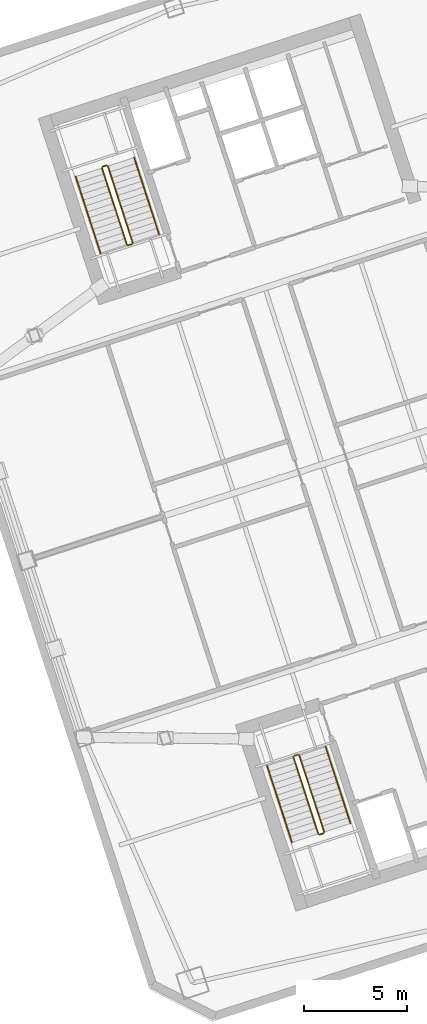
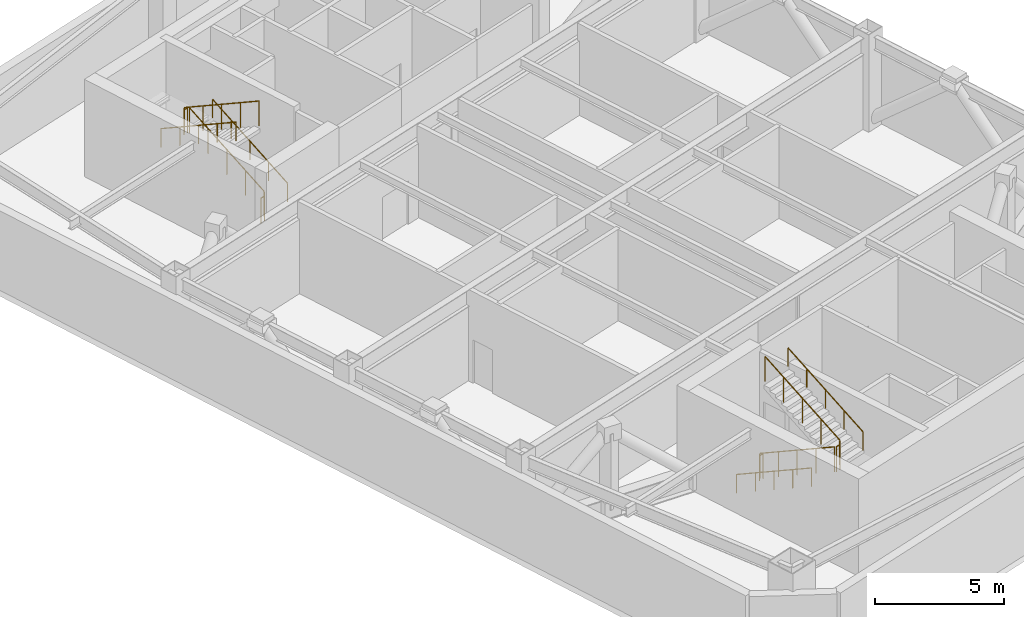
# One storey, part 14 of 14: 12 railings.
"""IFC4 building model written with IfcOpenShell, lengths in metres."""

from ifc_helpers import new_model, si_unit, direction, frame, origin, origin_2d, place, context, subcontext, project, spatial, circle, extrude, material, type_object, element, save


model = new_model("IFC4")

# Units and contexts
model_context = context("Model", 3, precision=1e-05, world=origin(), true_north=direction((0.0, 1.0)))
body_context = subcontext(model_context, "Body", "Model", "MODEL_VIEW")
ifc_project = project(units=[si_unit("LENGTHUNIT", "METRE"), si_unit("AREAUNIT", "SQUARE_METRE"), si_unit("VOLUMEUNIT", "CUBIC_METRE"), si_unit("PLANEANGLEUNIT", "RADIAN"), si_unit("MASSUNIT", "GRAM", prefix="KILO")], contexts=[model_context])

# Site, building, storey
site_placement = place(None, origin())
site = spatial("IfcSite", under=ifc_project, at=site_placement, CompositionType="ELEMENT")
building_placement = place(site_placement, origin())
building = spatial("IfcBuilding", under=site, at=building_placement, Name="Qiaolan Cultural Towers", CompositionType="ELEMENT")
storey_placement = place(building_placement, frame((0.0, 0.0, 138.0)))
storey = spatial("IfcBuildingStorey", under=building, at=storey_placement, Name="L36", CompositionType="ELEMENT", Elevation=138.0)

# Railings
ifc_material_1 = material(Name="Galvanized Painted Steel Stair Guardrail", Category="steel")
railing_type_1 = type_object("IfcRailingType", Name="RL-STAIR-GRD", PredefinedType="GUARDRAIL", material=ifc_material_1)
railing_1_placement = place(storey_placement, frame((88.60205078125, 19.82421875, 0.164306640625)))
element("IfcRailing", 1, at=railing_1_placement, inside=storey, type_object=railing_type_1, Name="L36 ST-E1 stair guard 1", PredefinedType="GUARDRAIL", context=body_context, shape_type="SweptSolid", body=[
    extrude(circle(Radius=0.02392578125, at=origin_2d()), frame((0.0, 0.0, 1.17578125), z_axis=(0.271063841875, -0.834165069801, 0.480305142541), x_axis=(0.951047408346, 0.309045024354, 0.0)), (0.0, 0.0, 1.0), 4.446533203125),
    extrude(circle(Radius=0.02099609375, at=origin_2d()), origin(), (0.0, 0.0, 1.0), 1.15185546875),
    extrude(circle(Radius=0.02099609375, at=origin_2d()), frame((0.30126953125, -0.92724609375, 0.533935546875)), (0.0, 0.0, 1.0), 1.15185546875),
    extrude(circle(Radius=0.02099609375, at=origin_2d()), frame((0.6025390625, -1.8544921875, 1.06787109375)), (0.0, 0.0, 1.0), 1.15185546875),
    extrude(circle(Radius=0.02099609375, at=origin_2d()), frame((0.904052734375, -2.781982421875, 1.601806640625)), (0.0, 0.0, 1.0), 1.15185546875),
    extrude(circle(Radius=0.02099609375, at=origin_2d()), frame((1.205322265625, -3.709228515625, 2.1357421875)), (0.0, 0.0, 1.0), 1.15185546875),
])
railing_2_placement = place(storey_placement, frame((89.870361328125, 16.0830078125, 2.300048828125)))
element("IfcRailing", 2, at=railing_2_placement, inside=storey, type_object=railing_type_1, Name="L36 ST-E1 stair guard 2", PredefinedType="GUARDRAIL", context=body_context, shape_type="SweptSolid", body=[
    extrude(circle(Radius=0.02392578125, at=origin_2d()), frame((0.0, 0.0, 1.17578125), z_axis=(0.951096855055, 0.308892816854, 0.0), x_axis=(-0.308892816854, 0.951096855055, 0.0)), (0.0, 0.0, 1.0), 0.199951171875),
    extrude(circle(Radius=0.02099609375, at=origin_2d()), origin(), (0.0, 0.0, 1.0), 1.15185546875),
    extrude(circle(Radius=0.02099609375, at=origin_2d()), frame((0.190185546875, 0.061767578125, 0.0)), (0.0, 0.0, 1.0), 1.15185546875),
])
railing_3_placement = place(storey_placement, frame((90.092529296875, 16.207763671875, 2.46435546875)))
element("IfcRailing", 3, at=railing_3_placement, inside=storey, type_object=railing_type_1, Name="L36 ST-E1 stair guard 3", PredefinedType="GUARDRAIL", context=body_context, shape_type="SweptSolid", body=[
    extrude(circle(Radius=0.02392578125, at=origin_2d()), frame((0.0, 0.0, 1.17578125), z_axis=(-0.27101297032, 0.834177483402, 0.480312290186), x_axis=(-0.951065805522, -0.308988403611, 0.0)), (0.0, 0.0, 1.0), 4.446533203125),
    extrude(circle(Radius=0.02099609375, at=origin_2d()), origin(), (0.0, 0.0, 1.0), 1.15185546875),
    extrude(circle(Radius=0.02099609375, at=origin_2d()), frame((-0.30126953125, 0.92724609375, 0.533935546875)), (0.0, 0.0, 1.0), 1.15185546875),
    extrude(circle(Radius=0.02099609375, at=origin_2d()), frame((-0.6025390625, 1.8544921875, 1.06787109375)), (0.0, 0.0, 1.0), 1.15185546875),
    extrude(circle(Radius=0.02099609375, at=origin_2d()), frame((-0.90380859375, 2.781982421875, 1.601806640625)), (0.0, 0.0, 1.0), 1.15185546875),
    extrude(circle(Radius=0.02099609375, at=origin_2d()), frame((-1.205078125, 3.709228515625, 2.1357421875)), (0.0, 0.0, 1.0), 1.15185546875),
])
railing_4_placement = place(storey_placement, frame((88.63427734375, 19.88720703125, 0.0)))
element("IfcRailing", 4, at=railing_4_placement, inside=storey, type_object=railing_type_1, Name="L36 ST-E1 stair guard 4", PredefinedType="GUARDRAIL", context=body_context, shape_type="SweptSolid", body=[
    extrude(circle(Radius=0.02392578125, at=origin_2d()), frame((0.0, 0.0, 1.17578125), z_axis=(0.951096855055, 0.308892816854, 0.0), x_axis=(-0.308892816854, 0.951096855055, 0.0)), (0.0, 0.0, 1.0), 0.199951171875),
    extrude(circle(Radius=0.02099609375, at=origin_2d()), origin(), (0.0, 0.0, 1.0), 1.15185546875),
    extrude(circle(Radius=0.02099609375, at=origin_2d()), frame((0.190185546875, 0.061767578125, 0.0)), (0.0, 0.0, 1.0), 1.15185546875),
])
railing_5_placement = place(storey_placement, frame((80.822021484375, 44.739501953125, 0.164306640625)))
element("IfcRailing", 5, at=railing_5_placement, inside=storey, type_object=railing_type_1, Name="L36 ST-E2 stair guard 1", PredefinedType="GUARDRAIL", context=body_context, shape_type="SweptSolid", body=[
    extrude(circle(Radius=0.02392578125, at=origin_2d()), frame((0.0, 0.0, 1.17578125), z_axis=(-0.27101297032, 0.834177483402, 0.480312290186), x_axis=(-0.951065805522, -0.308988403611, 0.0)), (0.0, 0.0, 1.0), 4.446533203125),
    extrude(circle(Radius=0.02099609375, at=origin_2d()), origin(), (0.0, 0.0, 1.0), 1.15185546875),
    extrude(circle(Radius=0.02099609375, at=origin_2d()), frame((-0.30126953125, 0.92724609375, 0.533935546875)), (0.0, 0.0, 1.0), 1.15185546875),
    extrude(circle(Radius=0.02099609375, at=origin_2d()), frame((-0.6025390625, 1.8544921875, 1.06787109375)), (0.0, 0.0, 1.0), 1.15185546875),
    extrude(circle(Radius=0.02099609375, at=origin_2d()), frame((-0.90380859375, 2.781982421875, 1.601806640625)), (0.0, 0.0, 1.0), 1.15185546875),
    extrude(circle(Radius=0.02099609375, at=origin_2d()), frame((-1.205078125, 3.709228515625, 2.1357421875)), (0.0, 0.0, 1.0), 1.15185546875),
])
railing_6_placement = place(storey_placement, frame((79.553955078125, 48.480712890625, 2.300048828125)))
element("IfcRailing", 6, at=railing_6_placement, inside=storey, type_object=railing_type_1, Name="L36 ST-E2 stair guard 2", PredefinedType="GUARDRAIL", context=body_context, shape_type="SweptSolid", body=[
    extrude(circle(Radius=0.02392578125, at=origin_2d()), frame((0.0, 0.0, 1.17578125), z_axis=(-0.951096855055, -0.308892816854, 0.0), x_axis=(0.308892816854, -0.951096855055, 0.0)), (0.0, 0.0, 1.0), 0.199951171875),
    extrude(circle(Radius=0.02099609375, at=origin_2d()), origin(), (0.0, 0.0, 1.0), 1.15185546875),
    extrude(circle(Radius=0.02099609375, at=origin_2d()), frame((-0.190185546875, -0.061767578125, 0.0)), (0.0, 0.0, 1.0), 1.15185546875),
])
railing_7_placement = place(storey_placement, frame((79.33154296875, 48.35595703125, 2.46435546875)))
element("IfcRailing", 7, at=railing_7_placement, inside=storey, type_object=railing_type_1, Name="L36 ST-E2 stair guard 3", PredefinedType="GUARDRAIL", context=body_context, shape_type="SweptSolid", body=[
    extrude(circle(Radius=0.02392578125, at=origin_2d()), frame((0.0, 0.0, 1.17578125), z_axis=(0.271063841875, -0.834165069801, 0.480305142541), x_axis=(0.951047408346, 0.309045024354, 0.0)), (0.0, 0.0, 1.0), 4.446533203125),
    extrude(circle(Radius=0.02099609375, at=origin_2d()), origin(), (0.0, 0.0, 1.0), 1.15185546875),
    extrude(circle(Radius=0.02099609375, at=origin_2d()), frame((0.30126953125, -0.92724609375, 0.533935546875)), (0.0, 0.0, 1.0), 1.15185546875),
    extrude(circle(Radius=0.02099609375, at=origin_2d()), frame((0.6025390625, -1.8544921875, 1.06787109375)), (0.0, 0.0, 1.0), 1.15185546875),
    extrude(circle(Radius=0.02099609375, at=origin_2d()), frame((0.904052734375, -2.781982421875, 1.601806640625)), (0.0, 0.0, 1.0), 1.15185546875),
    extrude(circle(Radius=0.02099609375, at=origin_2d()), frame((1.205322265625, -3.709228515625, 2.1357421875)), (0.0, 0.0, 1.0), 1.15185546875),
])
railing_8_placement = place(storey_placement, frame((80.7900390625, 44.676513671875, 0.0)))
element("IfcRailing", 8, at=railing_8_placement, inside=storey, type_object=railing_type_1, Name="L36 ST-E2 stair guard 4", PredefinedType="GUARDRAIL", context=body_context, shape_type="SweptSolid", body=[
    extrude(circle(Radius=0.02392578125, at=origin_2d()), frame((0.0, 0.0, 1.17578125), z_axis=(-0.951096855055, -0.308892816854, 0.0), x_axis=(0.308892816854, -0.951096855055, 0.0)), (0.0, 0.0, 1.0), 0.199951171875),
    extrude(circle(Radius=0.02099609375, at=origin_2d()), origin(), (0.0, 0.0, 1.0), 1.15185546875),
    extrude(circle(Radius=0.02099609375, at=origin_2d()), frame((-0.190185546875, -0.061767578125, 0.0)), (0.0, 0.0, 1.0), 1.15185546875),
])
ifc_material_2 = material(Name="Stainless Steel S30408 Tubular Handrail", Category="steel")
railing_type_2 = type_object("IfcRailingType", Name="RL-STAIR-HR", PredefinedType="HANDRAIL", material=ifc_material_2)
railing_9_placement = place(storey_placement, frame((87.32763671875, 19.41015625, 0.164306640625)))
element("IfcRailing", 9, at=railing_9_placement, inside=storey, type_object=railing_type_2, Name="L36 ST-E1 stair handrail 1", PredefinedType="HANDRAIL", context=body_context, shape_type="SweptSolid", body=[
    extrude(circle(Radius=0.02392578125, at=origin_2d()), frame((0.0, 0.0, 0.8759765625), z_axis=(0.271063841875, -0.834165069801, 0.480305142541), x_axis=(0.951047408346, 0.309045024354, 0.0)), (0.0, 0.0, 1.0), 4.446533203125),
    extrude(circle(Radius=0.02099609375, at=origin_2d()), origin(), (0.0, 0.0, 1.0), 0.851806640625),
    extrude(circle(Radius=0.02099609375, at=origin_2d()), frame((0.30126953125, -0.92724609375, 0.533935546875)), (0.0, 0.0, 1.0), 0.851806640625),
    extrude(circle(Radius=0.02099609375, at=origin_2d()), frame((0.6025390625, -1.8544921875, 1.06787109375)), (0.0, 0.0, 1.0), 0.851806640625),
    extrude(circle(Radius=0.02099609375, at=origin_2d()), frame((0.904052734375, -2.781982421875, 1.601806640625)), (0.0, 0.0, 1.0), 0.851806640625),
    extrude(circle(Radius=0.02099609375, at=origin_2d()), frame((1.205322265625, -3.709228515625, 2.1357421875)), (0.0, 0.0, 1.0), 0.851806640625),
])
for number, where, name in (
    (10, (91.366943359375, 16.621826171875, 2.46435546875), "L36 ST-E1 stair handrail 2"),
    (11, (82.096435546875, 45.153564453125, 0.164306640625), "L36 ST-E2 stair handrail 1"),
):
    element("IfcRailing", number, at=place(storey_placement, frame(where)), inside=storey, type_object=railing_type_2, Name=name, PredefinedType="HANDRAIL", context=body_context, shape_type="SweptSolid", body=[
        extrude(circle(Radius=0.02392578125, at=origin_2d()), frame((0.0, 0.0, 0.8759765625), z_axis=(-0.27101297032, 0.834177483402, 0.480312290186), x_axis=(-0.951065805522, -0.308988403611, 0.0)), (0.0, 0.0, 1.0), 4.446533203125),
        extrude(circle(Radius=0.02099609375, at=origin_2d()), origin(), (0.0, 0.0, 1.0), 0.851806640625),
        extrude(circle(Radius=0.02099609375, at=origin_2d()), frame((-0.30126953125, 0.92724609375, 0.533935546875)), (0.0, 0.0, 1.0), 0.851806640625),
        extrude(circle(Radius=0.02099609375, at=origin_2d()), frame((-0.6025390625, 1.8544921875, 1.06787109375)), (0.0, 0.0, 1.0), 0.851806640625),
        extrude(circle(Radius=0.02099609375, at=origin_2d()), frame((-0.90380859375, 2.781982421875, 1.601806640625)), (0.0, 0.0, 1.0), 0.851806640625),
        extrude(circle(Radius=0.02099609375, at=origin_2d()), frame((-1.205078125, 3.709228515625, 2.1357421875)), (0.0, 0.0, 1.0), 0.851806640625),
    ])
railing_10_placement = place(storey_placement, frame((78.05712890625, 47.94189453125, 2.46435546875)))
element("IfcRailing", 12, at=railing_10_placement, inside=storey, type_object=railing_type_2, Name="L36 ST-E2 stair handrail 2", PredefinedType="HANDRAIL", context=body_context, shape_type="SweptSolid", body=[
    extrude(circle(Radius=0.02392578125, at=origin_2d()), frame((0.0, 0.0, 0.8759765625), z_axis=(0.271063841875, -0.834165069801, 0.480305142541), x_axis=(0.951047408346, 0.309045024354, 0.0)), (0.0, 0.0, 1.0), 4.446533203125),
    extrude(circle(Radius=0.02099609375, at=origin_2d()), origin(), (0.0, 0.0, 1.0), 0.851806640625),
    extrude(circle(Radius=0.02099609375, at=origin_2d()), frame((0.30126953125, -0.92724609375, 0.533935546875)), (0.0, 0.0, 1.0), 0.851806640625),
    extrude(circle(Radius=0.02099609375, at=origin_2d()), frame((0.6025390625, -1.8544921875, 1.06787109375)), (0.0, 0.0, 1.0), 0.851806640625),
    extrude(circle(Radius=0.02099609375, at=origin_2d()), frame((0.904052734375, -2.781982421875, 1.601806640625)), (0.0, 0.0, 1.0), 0.851806640625),
    extrude(circle(Radius=0.02099609375, at=origin_2d()), frame((1.205322265625, -3.709228515625, 2.1357421875)), (0.0, 0.0, 1.0), 0.851806640625),
])

save(model, "model.ifc")
